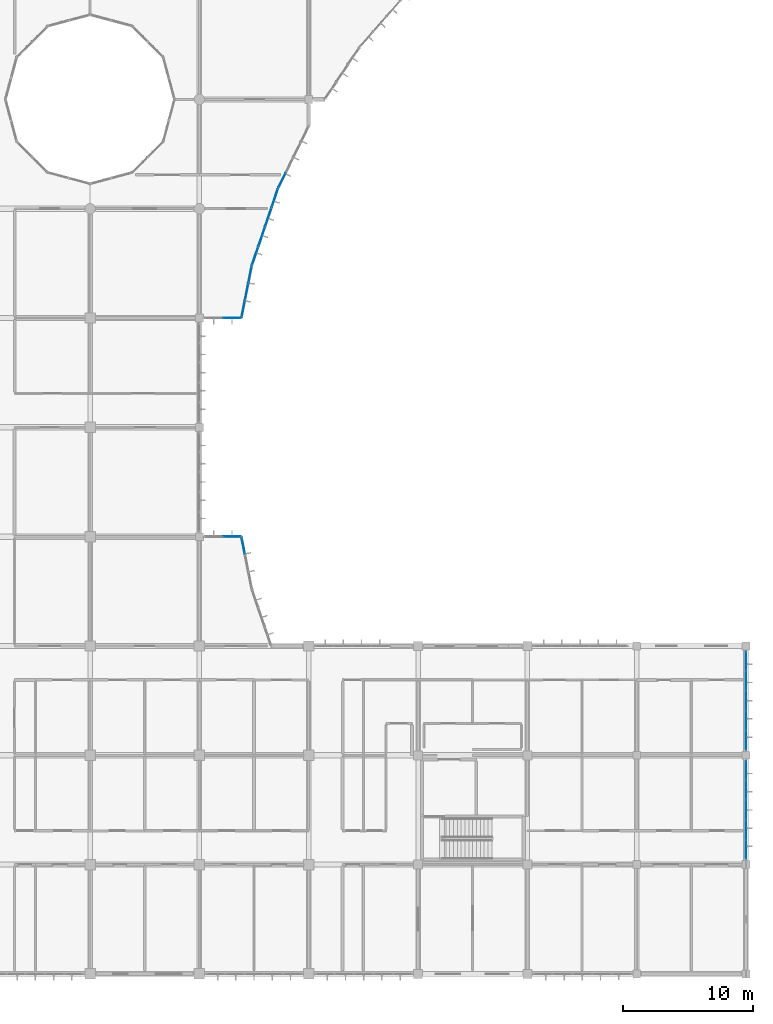
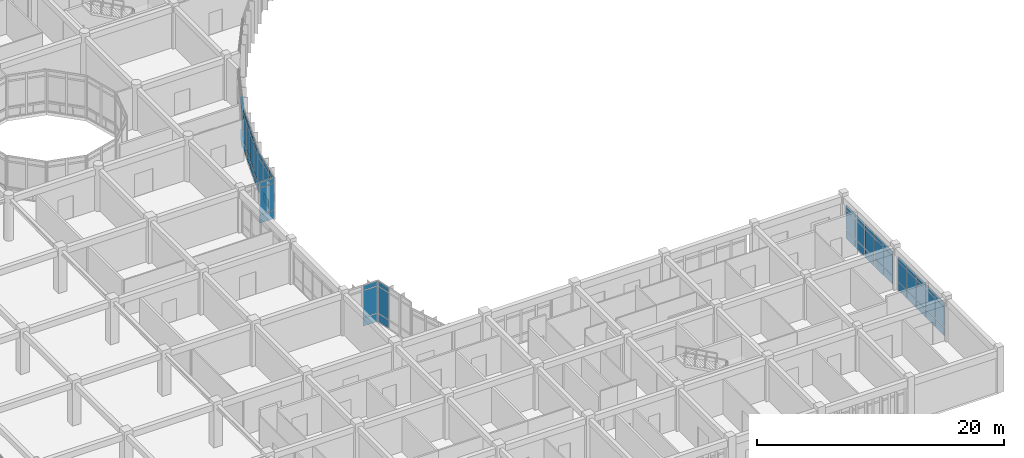
# One storey, part 85 of 144: 63 plates, 8 elements without a shape of their own.
"""IFC4 building model written with IfcOpenShell, lengths in metres."""

from ifc_helpers import new_model, si_unit, direction, frame, origin, origin_2d, place, context, subcontext, project, spatial, rectangle, extrude, material, layer, layer_set, type_object, element, aggregate, save


model = new_model("IFC4")

# Units and contexts
model_context = context("Model", 3, precision=1e-05, world=origin(), true_north=direction((0.0, 1.0)))
body_context = subcontext(model_context, "Body", "Model", "MODEL_VIEW")
ifc_project = project(units=[si_unit("LENGTHUNIT", "METRE"), si_unit("AREAUNIT", "SQUARE_METRE"), si_unit("VOLUMEUNIT", "CUBIC_METRE"), si_unit("PLANEANGLEUNIT", "RADIAN"), si_unit("MASSUNIT", "GRAM", prefix="KILO")], contexts=[model_context])

# Site, building, storey
site_placement = place(None, origin())
site = spatial("IfcSite", under=ifc_project, at=site_placement, CompositionType="ELEMENT")
building_placement = place(site_placement, origin())
building = spatial("IfcBuilding", under=site, at=building_placement, Name="Bramfleet General Hospital", CompositionType="ELEMENT")
storey_placement = place(building_placement, frame((0.0, 0.0, 4.800048828125)))
storey = spatial("IfcBuildingStorey", under=building, at=storey_placement, Name="L01", CompositionType="ELEMENT", Elevation=4.800048828125)

# Curtain wall, plates
ifc_material_1 = material(Name="Anodised aluminium and low-E triple glazing", Category="aluminium")
ifc_layer_1 = layer(ifc_material_1, 0.179931640625, Name="CWT-CW-07")
ifc_layer_set_1 = layer_set([ifc_layer_1], Name="Anodised aluminium and low-E triple glazing")
curtain_wall_type_1 = type_object("IfcCurtainWallType", Name="CWT-CW-07", PredefinedType="USERDEFINED", material=ifc_layer_set_1)
curtain_wall_1_placement = place(storey_placement, origin())
curtain_wall_1 = element("IfcCurtainWall", 1, at=curtain_wall_1_placement, inside=storey, type_object=curtain_wall_type_1, Name="L01 Curtain Wall 61", ObjectType="Unitised curtain wall", PredefinedType="USERDEFINED")
ifc_material_2 = material(Name="Low-E laminated safety glass", Category="glass")
ifc_layer_2 = layer(ifc_material_2, 0.028076171875, Name="CWP-GLZ-1")
ifc_layer_set_2 = layer_set([ifc_layer_2], Name="Low-E laminated safety glass")
plate_type_1 = type_object("IfcPlateType", Name="CWP-GLZ-1", PredefinedType="CURTAIN_PANEL", material=ifc_layer_set_2)
plate_1_placement = place(storey_placement, frame((129.899169921875, 53.7353515625, 0.06494140625), z_axis=(0.0, 0.0, 1.0), x_axis=(-0.195272189606, -0.980749087161, 0.0)))
plate_1 = element("IfcPlate", 2, at=plate_1_placement, type_object=plate_type_1, Name="CW-07 panel 1.1", PredefinedType="CURTAIN_PANEL", context=body_context, shape_type="SweptSolid", body=[
    extrude(rectangle(XDim=1.26220703125, YDim=0.028076171875, at=origin_2d()), origin(), (0.0, 0.0, 1.0), 0.802490234375),
])
plate_2_placement = place(storey_placement, frame((129.899169921875, 53.7353515625, 0.932373046875), z_axis=(0.0, 0.0, 1.0), x_axis=(-0.195272189606, -0.980749087161, 0.0)))
plate_2 = element("IfcPlate", 3, at=plate_2_placement, type_object=plate_type_1, Name="CW-07 panel 1.2", PredefinedType="CURTAIN_PANEL", context=body_context, shape_type="SweptSolid", body=[
    extrude(rectangle(XDim=1.26220703125, YDim=0.028076171875, at=origin_2d()), origin(), (0.0, 0.0, 1.0), 2.625),
])
plate_3_placement = place(storey_placement, frame((129.899169921875, 53.7353515625, 3.62255859375), z_axis=(0.0, 0.0, 1.0), x_axis=(-0.195272189606, -0.980749087161, 0.0)))
plate_3 = element("IfcPlate", 4, at=plate_3_placement, type_object=plate_type_1, Name="CW-07 panel 1.3", PredefinedType="CURTAIN_PANEL", context=body_context, shape_type="SweptSolid", body=[
    extrude(rectangle(XDim=1.26220703125, YDim=0.028076171875, at=origin_2d()), origin(), (0.0, 0.0, 1.0), 0.452392578125),
])
plate_4_placement = place(storey_placement, frame((129.635498046875, 52.41162109375, 0.06494140625), z_axis=(0.0, 0.0, 1.0), x_axis=(-0.195272189606, -0.980749087161, 0.0)))
plate_4 = element("IfcPlate", 5, at=plate_4_placement, type_object=plate_type_1, Name="CW-07 panel 2.1", PredefinedType="CURTAIN_PANEL", context=body_context, shape_type="SweptSolid", body=[
    extrude(rectangle(XDim=1.29736328125, YDim=0.028076171875, at=origin_2d()), origin(), (0.0, 0.0, 1.0), 0.802490234375),
])
plate_5_placement = place(storey_placement, frame((129.635498046875, 52.41162109375, 0.932373046875), z_axis=(0.0, 0.0, 1.0), x_axis=(-0.195272189606, -0.980749087161, 0.0)))
plate_5 = element("IfcPlate", 6, at=plate_5_placement, type_object=plate_type_1, Name="CW-07 panel 2.2", PredefinedType="CURTAIN_PANEL", context=body_context, shape_type="SweptSolid", body=[
    extrude(rectangle(XDim=1.29736328125, YDim=0.028076171875, at=origin_2d()), origin(), (0.0, 0.0, 1.0), 2.625),
])
plate_6_placement = place(storey_placement, frame((129.635498046875, 52.41162109375, 3.62255859375), z_axis=(0.0, 0.0, 1.0), x_axis=(-0.195272189606, -0.980749087161, 0.0)))
plate_6 = element("IfcPlate", 7, at=plate_6_placement, type_object=plate_type_1, Name="CW-07 panel 2.3", PredefinedType="CURTAIN_PANEL", context=body_context, shape_type="SweptSolid", body=[
    extrude(rectangle(XDim=1.29736328125, YDim=0.028076171875, at=origin_2d()), origin(), (0.0, 0.0, 1.0), 0.452392578125),
])
plate_7_placement = place(storey_placement, frame((129.371826171875, 51.087646484375, 0.06494140625), z_axis=(0.0, 0.0, 1.0), x_axis=(-0.195272189606, -0.980749087161, 0.0)))
plate_7 = element("IfcPlate", 8, at=plate_7_placement, type_object=plate_type_1, Name="CW-07 panel 3.1", PredefinedType="CURTAIN_PANEL", context=body_context, shape_type="SweptSolid", body=[
    extrude(rectangle(XDim=1.26220703125, YDim=0.028076171875, at=origin_2d()), origin(), (0.0, 0.0, 1.0), 0.802490234375),
])
plate_8_placement = place(storey_placement, frame((129.371826171875, 51.087646484375, 0.932373046875), z_axis=(0.0, 0.0, 1.0), x_axis=(-0.195272189606, -0.980749087161, 0.0)))
plate_8 = element("IfcPlate", 9, at=plate_8_placement, type_object=plate_type_1, Name="CW-07 panel 3.2", PredefinedType="CURTAIN_PANEL", context=body_context, shape_type="SweptSolid", body=[
    extrude(rectangle(XDim=1.26220703125, YDim=0.028076171875, at=origin_2d()), origin(), (0.0, 0.0, 1.0), 2.625),
])
plate_9_placement = place(storey_placement, frame((129.371826171875, 51.087646484375, 3.62255859375), z_axis=(0.0, 0.0, 1.0), x_axis=(-0.195272189606, -0.980749087161, 0.0)))
plate_9 = element("IfcPlate", 10, at=plate_9_placement, type_object=plate_type_1, Name="CW-07 panel 3.3", PredefinedType="CURTAIN_PANEL", context=body_context, shape_type="SweptSolid", body=[
    extrude(rectangle(XDim=1.26220703125, YDim=0.028076171875, at=origin_2d()), origin(), (0.0, 0.0, 1.0), 0.452392578125),
])
aggregate(curtain_wall_1, [plate_1, plate_2, plate_3, plate_4, plate_5, plate_6, plate_7, plate_8, plate_9])

ifc_layer_3 = layer(ifc_material_1, 0.179931640625, Name="CWT-CW-11")
ifc_layer_set_3 = layer_set([ifc_layer_3], Name="Anodised aluminium and low-E triple glazing")
curtain_wall_type_2 = type_object("IfcCurtainWallType", Name="CWT-CW-11", PredefinedType="USERDEFINED", material=ifc_layer_set_3)
curtain_wall_2_placement = place(storey_placement, origin())
curtain_wall_2 = element("IfcCurtainWall", 11, at=curtain_wall_2_placement, inside=storey, type_object=curtain_wall_type_2, Name="L01 Curtain Wall 65", ObjectType="Stick curtain wall", PredefinedType="USERDEFINED")
plate_10_placement = place(storey_placement, frame((128.50244140625, 33.60009765625, 0.06494140625), z_axis=(0.0, 0.0, 1.0), x_axis=(1.0, 0.0, 0.0)))
plate_10 = element("IfcPlate", 12, at=plate_10_placement, type_object=plate_type_1, Name="CW-11 panel 2.1", PredefinedType="CURTAIN_PANEL", context=body_context, shape_type="SweptSolid", body=[
    extrude(rectangle(XDim=1.324951171875, YDim=0.028076171875, at=origin_2d()), origin(), (0.0, 0.0, 1.0), 0.802490234375),
])
plate_11_placement = place(storey_placement, frame((128.50244140625, 33.60009765625, 0.932373046875), z_axis=(0.0, 0.0, 1.0), x_axis=(1.0, 0.0, 0.0)))
plate_11 = element("IfcPlate", 13, at=plate_11_placement, type_object=plate_type_1, Name="CW-11 panel 2.2", PredefinedType="CURTAIN_PANEL", context=body_context, shape_type="SweptSolid", body=[
    extrude(rectangle(XDim=1.324951171875, YDim=0.028076171875, at=origin_2d()), origin(), (0.0, 0.0, 1.0), 2.625),
])
plate_12_placement = place(storey_placement, frame((128.50244140625, 33.60009765625, 3.62255859375), z_axis=(0.0, 0.0, 1.0), x_axis=(1.0, 0.0, 0.0)))
plate_12 = element("IfcPlate", 14, at=plate_12_placement, type_object=plate_type_1, Name="CW-11 panel 2.3", PredefinedType="CURTAIN_PANEL", context=body_context, shape_type="SweptSolid", body=[
    extrude(rectangle(XDim=1.324951171875, YDim=0.028076171875, at=origin_2d()), origin(), (0.0, 0.0, 1.0), 0.452392578125),
])
aggregate(curtain_wall_2, [plate_10, plate_11, plate_12])

ifc_layer_4 = layer(ifc_material_1, 0.179931640625, Name="CWT-CW-08")
ifc_layer_set_4 = layer_set([ifc_layer_4], Name="Anodised aluminium and low-E triple glazing")
curtain_wall_type_3 = type_object("IfcCurtainWallType", Name="CWT-CW-08", PredefinedType="USERDEFINED", material=ifc_layer_set_4)
curtain_wall_3_placement = place(storey_placement, origin())
curtain_wall_3 = element("IfcCurtainWall", 15, at=curtain_wall_3_placement, inside=storey, type_object=curtain_wall_type_3, Name="L01 Curtain Wall 62", ObjectType="Unitised curtain wall", PredefinedType="USERDEFINED")
ifc_layer_5 = layer(ifc_material_2, 0.031982421875, Name="CWP-GLZ-2")
ifc_layer_set_5 = layer_set([ifc_layer_5], Name="Low-E laminated safety glass")
plate_type_2 = type_object("IfcPlateType", Name="CWP-GLZ-2", PredefinedType="CURTAIN_PANEL", material=ifc_layer_set_5)
plate_13_placement = place(storey_placement, frame((128.50244140625, 50.39990234375, 0.06494140625), z_axis=(0.0, 0.0, 1.0), x_axis=(-1.0, 0.0, 0.0)))
plate_13 = element("IfcPlate", 16, at=plate_13_placement, type_object=plate_type_2, Name="CW-08 panel 1.1", PredefinedType="CURTAIN_PANEL", context=body_context, shape_type="SweptSolid", body=[
    extrude(rectangle(XDim=1.324951171875, YDim=0.031982421875, at=origin_2d()), origin(), (0.0, 0.0, 1.0), 0.802490234375),
])
plate_14_placement = place(storey_placement, frame((128.50244140625, 50.39990234375, 0.932373046875), z_axis=(0.0, 0.0, 1.0), x_axis=(-1.0, 0.0, 0.0)))
plate_14 = element("IfcPlate", 17, at=plate_14_placement, type_object=plate_type_2, Name="CW-08 panel 1.2", PredefinedType="CURTAIN_PANEL", context=body_context, shape_type="SweptSolid", body=[
    extrude(rectangle(XDim=1.324951171875, YDim=0.031982421875, at=origin_2d()), origin(), (0.0, 0.0, 1.0), 2.625),
])
plate_15_placement = place(storey_placement, frame((128.50244140625, 50.39990234375, 3.62255859375), z_axis=(0.0, 0.0, 1.0), x_axis=(-1.0, 0.0, 0.0)))
plate_15 = element("IfcPlate", 18, at=plate_15_placement, type_object=plate_type_2, Name="CW-08 panel 1.3", PredefinedType="CURTAIN_PANEL", context=body_context, shape_type="SweptSolid", body=[
    extrude(rectangle(XDim=1.324951171875, YDim=0.031982421875, at=origin_2d()), origin(), (0.0, 0.0, 1.0), 0.452392578125),
])
aggregate(curtain_wall_3, [plate_13, plate_14, plate_15])

ifc_layer_6 = layer(ifc_material_1, 0.179931640625, Name="CWT-CW-12")
ifc_layer_set_6 = layer_set([ifc_layer_6], Name="Anodised aluminium and low-E triple glazing")
curtain_wall_type_4 = type_object("IfcCurtainWallType", Name="CWT-CW-12", PredefinedType="USERDEFINED", material=ifc_layer_set_6)
curtain_wall_4_placement = place(storey_placement, origin())
curtain_wall_4 = element("IfcCurtainWall", 19, at=curtain_wall_4_placement, inside=storey, type_object=curtain_wall_type_4, Name="L01 Curtain Wall 66", ObjectType="Stick curtain wall", PredefinedType="USERDEFINED")
plate_16_placement = place(storey_placement, frame((129.371826171875, 32.912353515625, 0.06494140625), z_axis=(0.0, 0.0, 1.0), x_axis=(0.195272189606, -0.980749087161, 0.0)))
plate_16 = element("IfcPlate", 20, at=plate_16_placement, type_object=plate_type_2, Name="CW-12 panel 1.1", PredefinedType="CURTAIN_PANEL", context=body_context, shape_type="SweptSolid", body=[
    extrude(rectangle(XDim=1.26220703125, YDim=0.031982421875, at=origin_2d()), origin(), (0.0, 0.0, 1.0), 0.802490234375),
])
plate_17_placement = place(storey_placement, frame((129.371826171875, 32.912353515625, 0.932373046875), z_axis=(0.0, 0.0, 1.0), x_axis=(0.195272189606, -0.980749087161, 0.0)))
plate_17 = element("IfcPlate", 21, at=plate_17_placement, type_object=plate_type_2, Name="CW-12 panel 1.2", PredefinedType="CURTAIN_PANEL", context=body_context, shape_type="SweptSolid", body=[
    extrude(rectangle(XDim=1.26220703125, YDim=0.031982421875, at=origin_2d()), origin(), (0.0, 0.0, 1.0), 2.625),
])
plate_18_placement = place(storey_placement, frame((129.371826171875, 32.912353515625, 3.62255859375), z_axis=(0.0, 0.0, 1.0), x_axis=(0.195272189606, -0.980749087161, 0.0)))
plate_18 = element("IfcPlate", 22, at=plate_18_placement, type_object=plate_type_2, Name="CW-12 panel 1.3", PredefinedType="CURTAIN_PANEL", context=body_context, shape_type="SweptSolid", body=[
    extrude(rectangle(XDim=1.26220703125, YDim=0.031982421875, at=origin_2d()), origin(), (0.0, 0.0, 1.0), 0.452392578125),
])
aggregate(curtain_wall_4, [plate_16, plate_17, plate_18])

ifc_layer_7 = layer(ifc_material_1, 0.179931640625, Name="CWT-CW-16")
ifc_layer_set_7 = layer_set([ifc_layer_7], Name="Anodised aluminium and low-E triple glazing")
curtain_wall_type_5 = type_object("IfcCurtainWallType", Name="CWT-CW-16", PredefinedType="USERDEFINED", material=ifc_layer_set_7)
curtain_wall_5_placement = place(storey_placement, origin())
curtain_wall_5 = element("IfcCurtainWall", 23, at=curtain_wall_5_placement, inside=storey, type_object=curtain_wall_type_5, Name="L01 Curtain Wall 70", ObjectType="Stick curtain wall", PredefinedType="USERDEFINED")
plate_19_placement = place(storey_placement, frame((168.0, 24.04248046875, 0.06494140625), z_axis=(0.0, 0.0, 1.0), x_axis=(0.0, -1.0, 0.0)))
plate_19 = element("IfcPlate", 24, at=plate_19_placement, type_object=plate_type_2, Name="CW-16 panel 1.1", PredefinedType="CURTAIN_PANEL", context=body_context, shape_type="SweptSolid", body=[
    extrude(rectangle(XDim=1.425048828125, YDim=0.031982421875, at=origin_2d()), origin(), (0.0, 0.0, 1.0), 0.802490234375),
])
plate_20_placement = place(storey_placement, frame((168.0, 24.04248046875, 0.9326171875), z_axis=(0.0, 0.0, 1.0), x_axis=(0.0, -1.0, 0.0)))
plate_20 = element("IfcPlate", 25, at=plate_20_placement, type_object=plate_type_2, Name="CW-16 panel 1.2", PredefinedType="CURTAIN_PANEL", context=body_context, shape_type="SweptSolid", body=[
    extrude(rectangle(XDim=1.425048828125, YDim=0.031982421875, at=origin_2d()), origin(), (0.0, 0.0, 1.0), 1.925048828125),
])
plate_21_placement = place(storey_placement, frame((168.0, 24.04248046875, 2.92236328125), z_axis=(0.0, 0.0, 1.0), x_axis=(0.0, -1.0, 0.0)))
plate_21 = element("IfcPlate", 26, at=plate_21_placement, type_object=plate_type_2, Name="CW-16 panel 1.3", PredefinedType="CURTAIN_PANEL", context=body_context, shape_type="SweptSolid", body=[
    extrude(rectangle(XDim=1.425048828125, YDim=0.031982421875, at=origin_2d()), origin(), (0.0, 0.0, 1.0), 0.452392578125),
])
plate_22_placement = place(storey_placement, frame((168.0, 22.530029296875, 0.06494140625), z_axis=(0.0, 0.0, 1.0), x_axis=(0.0, -1.0, 0.0)))
plate_22 = element("IfcPlate", 27, at=plate_22_placement, type_object=plate_type_2, Name="CW-16 panel 2.1", PredefinedType="CURTAIN_PANEL", context=body_context, shape_type="SweptSolid", body=[
    extrude(rectangle(XDim=1.4599609375, YDim=0.031982421875, at=origin_2d()), origin(), (0.0, 0.0, 1.0), 0.802490234375),
])
plate_23_placement = place(storey_placement, frame((168.0, 22.530029296875, 0.9326171875), z_axis=(0.0, 0.0, 1.0), x_axis=(0.0, -1.0, 0.0)))
plate_23 = element("IfcPlate", 28, at=plate_23_placement, type_object=plate_type_2, Name="CW-16 panel 2.2", PredefinedType="CURTAIN_PANEL", context=body_context, shape_type="SweptSolid", body=[
    extrude(rectangle(XDim=1.4599609375, YDim=0.031982421875, at=origin_2d()), origin(), (0.0, 0.0, 1.0), 1.925048828125),
])
plate_24_placement = place(storey_placement, frame((168.0, 22.530029296875, 2.92236328125), z_axis=(0.0, 0.0, 1.0), x_axis=(0.0, -1.0, 0.0)))
plate_24 = element("IfcPlate", 29, at=plate_24_placement, type_object=plate_type_2, Name="CW-16 panel 2.3", PredefinedType="CURTAIN_PANEL", context=body_context, shape_type="SweptSolid", body=[
    extrude(rectangle(XDim=1.4599609375, YDim=0.031982421875, at=origin_2d()), origin(), (0.0, 0.0, 1.0), 0.452392578125),
])
plate_25_placement = place(storey_placement, frame((168.0, 21.0, 0.06494140625), z_axis=(0.0, 0.0, 1.0), x_axis=(0.0, -1.0, 0.0)))
plate_25 = element("IfcPlate", 30, at=plate_25_placement, type_object=plate_type_2, Name="CW-16 panel 3.1", PredefinedType="CURTAIN_PANEL", context=body_context, shape_type="SweptSolid", body=[
    extrude(rectangle(XDim=1.4599609375, YDim=0.031982421875, at=origin_2d()), origin(), (0.0, 0.0, 1.0), 0.802490234375),
])
plate_26_placement = place(storey_placement, frame((168.0, 21.0, 0.9326171875), z_axis=(0.0, 0.0, 1.0), x_axis=(0.0, -1.0, 0.0)))
plate_26 = element("IfcPlate", 31, at=plate_26_placement, type_object=plate_type_2, Name="CW-16 panel 3.2", PredefinedType="CURTAIN_PANEL", context=body_context, shape_type="SweptSolid", body=[
    extrude(rectangle(XDim=1.4599609375, YDim=0.031982421875, at=origin_2d()), origin(), (0.0, 0.0, 1.0), 1.925048828125),
])
plate_27_placement = place(storey_placement, frame((168.0, 21.0, 2.92236328125), z_axis=(0.0, 0.0, 1.0), x_axis=(0.0, -1.0, 0.0)))
plate_27 = element("IfcPlate", 32, at=plate_27_placement, type_object=plate_type_2, Name="CW-16 panel 3.3", PredefinedType="CURTAIN_PANEL", context=body_context, shape_type="SweptSolid", body=[
    extrude(rectangle(XDim=1.4599609375, YDim=0.031982421875, at=origin_2d()), origin(), (0.0, 0.0, 1.0), 0.452392578125),
])
plate_28_placement = place(storey_placement, frame((168.0, 19.469970703125, 0.06494140625), z_axis=(0.0, 0.0, 1.0), x_axis=(0.0, -1.0, 0.0)))
plate_28 = element("IfcPlate", 33, at=plate_28_placement, type_object=plate_type_2, Name="CW-16 panel 4.1", PredefinedType="CURTAIN_PANEL", context=body_context, shape_type="SweptSolid", body=[
    extrude(rectangle(XDim=1.4599609375, YDim=0.031982421875, at=origin_2d()), origin(), (0.0, 0.0, 1.0), 0.802490234375),
])
plate_29_placement = place(storey_placement, frame((168.0, 19.469970703125, 0.9326171875), z_axis=(0.0, 0.0, 1.0), x_axis=(0.0, -1.0, 0.0)))
plate_29 = element("IfcPlate", 34, at=plate_29_placement, type_object=plate_type_2, Name="CW-16 panel 4.2", PredefinedType="CURTAIN_PANEL", context=body_context, shape_type="SweptSolid", body=[
    extrude(rectangle(XDim=1.4599609375, YDim=0.031982421875, at=origin_2d()), origin(), (0.0, 0.0, 1.0), 1.925048828125),
])
plate_30_placement = place(storey_placement, frame((168.0, 19.469970703125, 2.92236328125), z_axis=(0.0, 0.0, 1.0), x_axis=(0.0, -1.0, 0.0)))
plate_30 = element("IfcPlate", 35, at=plate_30_placement, type_object=plate_type_2, Name="CW-16 panel 4.3", PredefinedType="CURTAIN_PANEL", context=body_context, shape_type="SweptSolid", body=[
    extrude(rectangle(XDim=1.4599609375, YDim=0.031982421875, at=origin_2d()), origin(), (0.0, 0.0, 1.0), 0.452392578125),
])
plate_31_placement = place(storey_placement, frame((168.0, 17.95751953125, 0.06494140625), z_axis=(0.0, 0.0, 1.0), x_axis=(0.0, -1.0, 0.0)))
plate_31 = element("IfcPlate", 36, at=plate_31_placement, type_object=plate_type_2, Name="CW-16 panel 5.1", PredefinedType="CURTAIN_PANEL", context=body_context, shape_type="SweptSolid", body=[
    extrude(rectangle(XDim=1.425048828125, YDim=0.031982421875, at=origin_2d()), origin(), (0.0, 0.0, 1.0), 0.802490234375),
])
plate_32_placement = place(storey_placement, frame((168.0, 17.95751953125, 0.9326171875), z_axis=(0.0, 0.0, 1.0), x_axis=(0.0, -1.0, 0.0)))
plate_32 = element("IfcPlate", 37, at=plate_32_placement, type_object=plate_type_2, Name="CW-16 panel 5.2", PredefinedType="CURTAIN_PANEL", context=body_context, shape_type="SweptSolid", body=[
    extrude(rectangle(XDim=1.425048828125, YDim=0.031982421875, at=origin_2d()), origin(), (0.0, 0.0, 1.0), 1.925048828125),
])
plate_33_placement = place(storey_placement, frame((168.0, 17.95751953125, 2.92236328125), z_axis=(0.0, 0.0, 1.0), x_axis=(0.0, -1.0, 0.0)))
plate_33 = element("IfcPlate", 38, at=plate_33_placement, type_object=plate_type_2, Name="CW-16 panel 5.3", PredefinedType="CURTAIN_PANEL", context=body_context, shape_type="SweptSolid", body=[
    extrude(rectangle(XDim=1.425048828125, YDim=0.031982421875, at=origin_2d()), origin(), (0.0, 0.0, 1.0), 0.452392578125),
])
aggregate(curtain_wall_5, [plate_19, plate_20, plate_21, plate_22, plate_23, plate_24, plate_25, plate_26, plate_27, plate_28, plate_29, plate_30, plate_31, plate_32, plate_33])

ifc_layer_8 = layer(ifc_material_1, 0.179931640625, Name="CWT-CW-05")
ifc_layer_set_8 = layer_set([ifc_layer_8], Name="Anodised aluminium and low-E triple glazing")
curtain_wall_type_6 = type_object("IfcCurtainWallType", Name="CWT-CW-05", PredefinedType="USERDEFINED", material=ifc_layer_set_8)
curtain_wall_6_placement = place(storey_placement, origin())
curtain_wall_6 = element("IfcCurtainWall", 39, at=curtain_wall_6_placement, inside=storey, type_object=curtain_wall_type_6, Name="L01 Curtain Wall 59", ObjectType="Unitised curtain wall", PredefinedType="USERDEFINED")
ifc_layer_9 = layer(ifc_material_2, 0.035888671875, Name="CWP-GLZ-3")
ifc_layer_set_9 = layer_set([ifc_layer_9], Name="Low-E laminated safety glass")
plate_type_3 = type_object("IfcPlateType", Name="CWP-GLZ-3", PredefinedType="CURTAIN_PANEL", material=ifc_layer_set_9)
plate_34_placement = place(storey_placement, frame((132.35498046875, 60.979248046875, 0.06494140625), z_axis=(0.0, 0.0, 1.0), x_axis=(-0.442304948782, -0.896864723513, 0.0)))
plate_34 = element("IfcPlate", 40, at=plate_34_placement, type_object=plate_type_3, Name="CW-05 panel 4.1", PredefinedType="CURTAIN_PANEL", context=body_context, shape_type="SweptSolid", body=[
    extrude(rectangle(XDim=1.220947265625, YDim=0.035888671875, at=origin_2d()), origin(), (0.0, 0.0, 1.0), 0.802490234375),
])
plate_35_placement = place(storey_placement, frame((132.35498046875, 60.979248046875, 0.932373046875), z_axis=(0.0, 0.0, 1.0), x_axis=(-0.442304948782, -0.896864723513, 0.0)))
plate_35 = element("IfcPlate", 41, at=plate_35_placement, type_object=plate_type_3, Name="CW-05 panel 4.2", PredefinedType="CURTAIN_PANEL", context=body_context, shape_type="SweptSolid", body=[
    extrude(rectangle(XDim=1.220947265625, YDim=0.035888671875, at=origin_2d()), origin(), (0.0, 0.0, 1.0), 2.625),
])
plate_36_placement = place(storey_placement, frame((132.35498046875, 60.979248046875, 3.62255859375), z_axis=(0.0, 0.0, 1.0), x_axis=(-0.442304948782, -0.896864723513, 0.0)))
plate_36 = element("IfcPlate", 42, at=plate_36_placement, type_object=plate_type_3, Name="CW-05 panel 4.3", PredefinedType="CURTAIN_PANEL", context=body_context, shape_type="SweptSolid", body=[
    extrude(rectangle(XDim=1.220947265625, YDim=0.035888671875, at=origin_2d()), origin(), (0.0, 0.0, 1.0), 0.452392578125),
])
aggregate(curtain_wall_6, [plate_34, plate_35, plate_36])

ifc_layer_10 = layer(ifc_material_1, 0.179931640625, Name="CWT-CW-17")
ifc_layer_set_10 = layer_set([ifc_layer_10], Name="Anodised aluminium and low-E triple glazing")
curtain_wall_type_7 = type_object("IfcCurtainWallType", Name="CWT-CW-17", PredefinedType="USERDEFINED", material=ifc_layer_set_10)
curtain_wall_7_placement = place(storey_placement, origin())
curtain_wall_7 = element("IfcCurtainWall", 43, at=curtain_wall_7_placement, inside=storey, type_object=curtain_wall_type_7, Name="L01 Curtain Wall 71", ObjectType="Stick curtain wall", PredefinedType="USERDEFINED")
plate_37_placement = place(storey_placement, frame((168.0, 15.642578125, 0.06494140625), z_axis=(0.0, 0.0, 1.0), x_axis=(0.0, -1.0, 0.0)))
plate_37 = element("IfcPlate", 44, at=plate_37_placement, type_object=plate_type_3, Name="CW-17 panel 1.1", PredefinedType="CURTAIN_PANEL", context=body_context, shape_type="SweptSolid", body=[
    extrude(rectangle(XDim=1.425048828125, YDim=0.035888671875, at=origin_2d()), origin(), (0.0, 0.0, 1.0), 0.802490234375),
])
plate_38_placement = place(storey_placement, frame((168.0, 15.642578125, 0.9326171875), z_axis=(0.0, 0.0, 1.0), x_axis=(0.0, -1.0, 0.0)))
plate_38 = element("IfcPlate", 45, at=plate_38_placement, type_object=plate_type_3, Name="CW-17 panel 1.2", PredefinedType="CURTAIN_PANEL", context=body_context, shape_type="SweptSolid", body=[
    extrude(rectangle(XDim=1.425048828125, YDim=0.035888671875, at=origin_2d()), origin(), (0.0, 0.0, 1.0), 1.925048828125),
])
plate_39_placement = place(storey_placement, frame((168.0, 15.642578125, 2.92236328125), z_axis=(0.0, 0.0, 1.0), x_axis=(0.0, -1.0, 0.0)))
plate_39 = element("IfcPlate", 46, at=plate_39_placement, type_object=plate_type_3, Name="CW-17 panel 1.3", PredefinedType="CURTAIN_PANEL", context=body_context, shape_type="SweptSolid", body=[
    extrude(rectangle(XDim=1.425048828125, YDim=0.035888671875, at=origin_2d()), origin(), (0.0, 0.0, 1.0), 0.452392578125),
])
plate_40_placement = place(storey_placement, frame((168.0, 14.1298828125, 0.06494140625), z_axis=(0.0, 0.0, 1.0), x_axis=(0.0, -1.0, 0.0)))
plate_40 = element("IfcPlate", 47, at=plate_40_placement, type_object=plate_type_3, Name="CW-17 panel 2.1", PredefinedType="CURTAIN_PANEL", context=body_context, shape_type="SweptSolid", body=[
    extrude(rectangle(XDim=1.4599609375, YDim=0.035888671875, at=origin_2d()), origin(), (0.0, 0.0, 1.0), 0.802490234375),
])
plate_41_placement = place(storey_placement, frame((168.0, 14.1298828125, 0.9326171875), z_axis=(0.0, 0.0, 1.0), x_axis=(0.0, -1.0, 0.0)))
plate_41 = element("IfcPlate", 48, at=plate_41_placement, type_object=plate_type_3, Name="CW-17 panel 2.2", PredefinedType="CURTAIN_PANEL", context=body_context, shape_type="SweptSolid", body=[
    extrude(rectangle(XDim=1.4599609375, YDim=0.035888671875, at=origin_2d()), origin(), (0.0, 0.0, 1.0), 1.925048828125),
])
plate_42_placement = place(storey_placement, frame((168.0, 14.1298828125, 2.92236328125), z_axis=(0.0, 0.0, 1.0), x_axis=(0.0, -1.0, 0.0)))
plate_42 = element("IfcPlate", 49, at=plate_42_placement, type_object=plate_type_3, Name="CW-17 panel 2.3", PredefinedType="CURTAIN_PANEL", context=body_context, shape_type="SweptSolid", body=[
    extrude(rectangle(XDim=1.4599609375, YDim=0.035888671875, at=origin_2d()), origin(), (0.0, 0.0, 1.0), 0.452392578125),
])
plate_43_placement = place(storey_placement, frame((168.0, 12.60009765625, 0.06494140625), z_axis=(0.0, 0.0, 1.0), x_axis=(0.0, -1.0, 0.0)))
plate_43 = element("IfcPlate", 50, at=plate_43_placement, type_object=plate_type_3, Name="CW-17 panel 3.1", PredefinedType="CURTAIN_PANEL", context=body_context, shape_type="SweptSolid", body=[
    extrude(rectangle(XDim=1.4599609375, YDim=0.035888671875, at=origin_2d()), origin(), (0.0, 0.0, 1.0), 0.802490234375),
])
plate_44_placement = place(storey_placement, frame((168.0, 12.60009765625, 0.9326171875), z_axis=(0.0, 0.0, 1.0), x_axis=(0.0, -1.0, 0.0)))
plate_44 = element("IfcPlate", 51, at=plate_44_placement, type_object=plate_type_3, Name="CW-17 panel 3.2", PredefinedType="CURTAIN_PANEL", context=body_context, shape_type="SweptSolid", body=[
    extrude(rectangle(XDim=1.4599609375, YDim=0.035888671875, at=origin_2d()), origin(), (0.0, 0.0, 1.0), 1.925048828125),
])
plate_45_placement = place(storey_placement, frame((168.0, 12.60009765625, 2.92236328125), z_axis=(0.0, 0.0, 1.0), x_axis=(0.0, -1.0, 0.0)))
plate_45 = element("IfcPlate", 52, at=plate_45_placement, type_object=plate_type_3, Name="CW-17 panel 3.3", PredefinedType="CURTAIN_PANEL", context=body_context, shape_type="SweptSolid", body=[
    extrude(rectangle(XDim=1.4599609375, YDim=0.035888671875, at=origin_2d()), origin(), (0.0, 0.0, 1.0), 0.452392578125),
])
plate_46_placement = place(storey_placement, frame((168.0, 11.070068359375, 0.06494140625), z_axis=(0.0, 0.0, 1.0), x_axis=(0.0, -1.0, 0.0)))
plate_46 = element("IfcPlate", 53, at=plate_46_placement, type_object=plate_type_3, Name="CW-17 panel 4.1", PredefinedType="CURTAIN_PANEL", context=body_context, shape_type="SweptSolid", body=[
    extrude(rectangle(XDim=1.4599609375, YDim=0.035888671875, at=origin_2d()), origin(), (0.0, 0.0, 1.0), 0.802490234375),
])
plate_47_placement = place(storey_placement, frame((168.0, 11.070068359375, 0.9326171875), z_axis=(0.0, 0.0, 1.0), x_axis=(0.0, -1.0, 0.0)))
plate_47 = element("IfcPlate", 54, at=plate_47_placement, type_object=plate_type_3, Name="CW-17 panel 4.2", PredefinedType="CURTAIN_PANEL", context=body_context, shape_type="SweptSolid", body=[
    extrude(rectangle(XDim=1.4599609375, YDim=0.035888671875, at=origin_2d()), origin(), (0.0, 0.0, 1.0), 1.925048828125),
])
plate_48_placement = place(storey_placement, frame((168.0, 11.070068359375, 2.92236328125), z_axis=(0.0, 0.0, 1.0), x_axis=(0.0, -1.0, 0.0)))
plate_48 = element("IfcPlate", 55, at=plate_48_placement, type_object=plate_type_3, Name="CW-17 panel 4.3", PredefinedType="CURTAIN_PANEL", context=body_context, shape_type="SweptSolid", body=[
    extrude(rectangle(XDim=1.4599609375, YDim=0.035888671875, at=origin_2d()), origin(), (0.0, 0.0, 1.0), 0.452392578125),
])
plate_49_placement = place(storey_placement, frame((168.0, 9.5576171875, 0.06494140625), z_axis=(0.0, 0.0, 1.0), x_axis=(0.0, -1.0, 0.0)))
plate_49 = element("IfcPlate", 56, at=plate_49_placement, type_object=plate_type_3, Name="CW-17 panel 5.1", PredefinedType="CURTAIN_PANEL", context=body_context, shape_type="SweptSolid", body=[
    extrude(rectangle(XDim=1.425048828125, YDim=0.035888671875, at=origin_2d()), origin(), (0.0, 0.0, 1.0), 0.802490234375),
])
plate_50_placement = place(storey_placement, frame((168.0, 9.5576171875, 0.9326171875), z_axis=(0.0, 0.0, 1.0), x_axis=(0.0, -1.0, 0.0)))
plate_50 = element("IfcPlate", 57, at=plate_50_placement, type_object=plate_type_3, Name="CW-17 panel 5.2", PredefinedType="CURTAIN_PANEL", context=body_context, shape_type="SweptSolid", body=[
    extrude(rectangle(XDim=1.425048828125, YDim=0.035888671875, at=origin_2d()), origin(), (0.0, 0.0, 1.0), 1.925048828125),
])
plate_51_placement = place(storey_placement, frame((168.0, 9.5576171875, 2.92236328125), z_axis=(0.0, 0.0, 1.0), x_axis=(0.0, -1.0, 0.0)))
plate_51 = element("IfcPlate", 58, at=plate_51_placement, type_object=plate_type_3, Name="CW-17 panel 5.3", PredefinedType="CURTAIN_PANEL", context=body_context, shape_type="SweptSolid", body=[
    extrude(rectangle(XDim=1.425048828125, YDim=0.035888671875, at=origin_2d()), origin(), (0.0, 0.0, 1.0), 0.452392578125),
])
aggregate(curtain_wall_7, [plate_37, plate_38, plate_39, plate_40, plate_41, plate_42, plate_43, plate_44, plate_45, plate_46, plate_47, plate_48, plate_49, plate_50, plate_51])

ifc_layer_11 = layer(ifc_material_1, 0.179931640625, Name="CWT-CW-06")
ifc_layer_set_11 = layer_set([ifc_layer_11], Name="Anodised aluminium and low-E triple glazing")
curtain_wall_type_8 = type_object("IfcCurtainWallType", Name="CWT-CW-06", PredefinedType="USERDEFINED", material=ifc_layer_set_11)
curtain_wall_8_placement = place(storey_placement, origin())
curtain_wall_8 = element("IfcCurtainWall", 59, at=curtain_wall_8_placement, inside=storey, type_object=curtain_wall_type_8, Name="L01 Curtain Wall 60", ObjectType="Unitised curtain wall", PredefinedType="USERDEFINED")
ifc_layer_12 = layer(ifc_material_2, 0.0419921875, Name="CWP-GLZ-4")
ifc_layer_set_12 = layer_set([ifc_layer_12], Name="Low-E laminated safety glass")
plate_type_4 = type_object("IfcPlateType", Name="CWP-GLZ-4", PredefinedType="CURTAIN_PANEL", material=ifc_layer_set_12)
plate_52_placement = place(storey_placement, frame((131.796142578125, 59.609130859375, 0.06494140625), z_axis=(0.0, 0.0, 1.0), x_axis=(-0.321383054181, -0.946949276617, 0.0)))
plate_52 = element("IfcPlate", 60, at=plate_52_placement, type_object=plate_type_4, Name="CW-06 panel 1.1", PredefinedType="CURTAIN_PANEL", context=body_context, shape_type="SweptSolid", body=[
    extrude(rectangle(XDim=1.46484375, YDim=0.0419921875, at=origin_2d()), origin(), (0.0, 0.0, 1.0), 0.802490234375),
])
plate_53_placement = place(storey_placement, frame((131.796142578125, 59.609130859375, 0.932373046875), z_axis=(0.0, 0.0, 1.0), x_axis=(-0.321383054181, -0.946949276617, 0.0)))
plate_53 = element("IfcPlate", 61, at=plate_53_placement, type_object=plate_type_4, Name="CW-06 panel 1.2", PredefinedType="CURTAIN_PANEL", context=body_context, shape_type="SweptSolid", body=[
    extrude(rectangle(XDim=1.46484375, YDim=0.0419921875, at=origin_2d()), origin(), (0.0, 0.0, 1.0), 2.625),
])
plate_54_placement = place(storey_placement, frame((131.796142578125, 59.609130859375, 3.62255859375), z_axis=(0.0, 0.0, 1.0), x_axis=(-0.321383054181, -0.946949276617, 0.0)))
plate_54 = element("IfcPlate", 62, at=plate_54_placement, type_object=plate_type_4, Name="CW-06 panel 1.3", PredefinedType="CURTAIN_PANEL", context=body_context, shape_type="SweptSolid", body=[
    extrude(rectangle(XDim=1.46484375, YDim=0.0419921875, at=origin_2d()), origin(), (0.0, 0.0, 1.0), 0.452392578125),
])
plate_55_placement = place(storey_placement, frame((131.29736328125, 58.13916015625, 0.06494140625), z_axis=(0.0, 0.0, 1.0), x_axis=(-0.321383054181, -0.946949276617, 0.0)))
plate_55 = element("IfcPlate", 63, at=plate_55_placement, type_object=plate_type_4, Name="CW-06 panel 2.1", PredefinedType="CURTAIN_PANEL", context=body_context, shape_type="SweptSolid", body=[
    extrude(rectangle(XDim=1.499755859375, YDim=0.0419921875, at=origin_2d()), origin(), (0.0, 0.0, 1.0), 0.802490234375),
])
plate_56_placement = place(storey_placement, frame((131.29736328125, 58.13916015625, 0.932373046875), z_axis=(0.0, 0.0, 1.0), x_axis=(-0.321383054181, -0.946949276617, 0.0)))
plate_56 = element("IfcPlate", 64, at=plate_56_placement, type_object=plate_type_4, Name="CW-06 panel 2.2", PredefinedType="CURTAIN_PANEL", context=body_context, shape_type="SweptSolid", body=[
    extrude(rectangle(XDim=1.499755859375, YDim=0.0419921875, at=origin_2d()), origin(), (0.0, 0.0, 1.0), 2.625),
])
plate_57_placement = place(storey_placement, frame((131.29736328125, 58.13916015625, 3.62255859375), z_axis=(0.0, 0.0, 1.0), x_axis=(-0.321383054181, -0.946949276617, 0.0)))
plate_57 = element("IfcPlate", 65, at=plate_57_placement, type_object=plate_type_4, Name="CW-06 panel 2.3", PredefinedType="CURTAIN_PANEL", context=body_context, shape_type="SweptSolid", body=[
    extrude(rectangle(XDim=1.499755859375, YDim=0.0419921875, at=origin_2d()), origin(), (0.0, 0.0, 1.0), 0.452392578125),
])
plate_58_placement = place(storey_placement, frame((130.792724609375, 56.65283203125, 0.06494140625), z_axis=(0.0, 0.0, 1.0), x_axis=(-0.321383054181, -0.946949276617, 0.0)))
plate_58 = element("IfcPlate", 66, at=plate_58_placement, type_object=plate_type_4, Name="CW-06 panel 3.1", PredefinedType="CURTAIN_PANEL", context=body_context, shape_type="SweptSolid", body=[
    extrude(rectangle(XDim=1.499755859375, YDim=0.0419921875, at=origin_2d()), origin(), (0.0, 0.0, 1.0), 0.802490234375),
])
plate_59_placement = place(storey_placement, frame((130.792724609375, 56.65283203125, 0.932373046875), z_axis=(0.0, 0.0, 1.0), x_axis=(-0.321383054181, -0.946949276617, 0.0)))
plate_59 = element("IfcPlate", 67, at=plate_59_placement, type_object=plate_type_4, Name="CW-06 panel 3.2", PredefinedType="CURTAIN_PANEL", context=body_context, shape_type="SweptSolid", body=[
    extrude(rectangle(XDim=1.499755859375, YDim=0.0419921875, at=origin_2d()), origin(), (0.0, 0.0, 1.0), 2.625),
])
plate_60_placement = place(storey_placement, frame((130.792724609375, 56.65283203125, 3.62255859375), z_axis=(0.0, 0.0, 1.0), x_axis=(-0.321383054181, -0.946949276617, 0.0)))
plate_60 = element("IfcPlate", 68, at=plate_60_placement, type_object=plate_type_4, Name="CW-06 panel 3.3", PredefinedType="CURTAIN_PANEL", context=body_context, shape_type="SweptSolid", body=[
    extrude(rectangle(XDim=1.499755859375, YDim=0.0419921875, at=origin_2d()), origin(), (0.0, 0.0, 1.0), 0.452392578125),
])
plate_61_placement = place(storey_placement, frame((130.2939453125, 55.182861328125, 0.06494140625), z_axis=(0.0, 0.0, 1.0), x_axis=(-0.321383054181, -0.946949276617, 0.0)))
plate_61 = element("IfcPlate", 69, at=plate_61_placement, type_object=plate_type_4, Name="CW-06 panel 4.1", PredefinedType="CURTAIN_PANEL", context=body_context, shape_type="SweptSolid", body=[
    extrude(rectangle(XDim=1.46484375, YDim=0.0419921875, at=origin_2d()), origin(), (0.0, 0.0, 1.0), 0.802490234375),
])
plate_62_placement = place(storey_placement, frame((130.2939453125, 55.182861328125, 0.932373046875), z_axis=(0.0, 0.0, 1.0), x_axis=(-0.321383054181, -0.946949276617, 0.0)))
plate_62 = element("IfcPlate", 70, at=plate_62_placement, type_object=plate_type_4, Name="CW-06 panel 4.2", PredefinedType="CURTAIN_PANEL", context=body_context, shape_type="SweptSolid", body=[
    extrude(rectangle(XDim=1.46484375, YDim=0.0419921875, at=origin_2d()), origin(), (0.0, 0.0, 1.0), 2.625),
])
plate_63_placement = place(storey_placement, frame((130.2939453125, 55.182861328125, 3.62255859375), z_axis=(0.0, 0.0, 1.0), x_axis=(-0.321383054181, -0.946949276617, 0.0)))
plate_63 = element("IfcPlate", 71, at=plate_63_placement, type_object=plate_type_4, Name="CW-06 panel 4.3", PredefinedType="CURTAIN_PANEL", context=body_context, shape_type="SweptSolid", body=[
    extrude(rectangle(XDim=1.46484375, YDim=0.0419921875, at=origin_2d()), origin(), (0.0, 0.0, 1.0), 0.452392578125),
])
aggregate(curtain_wall_8, [plate_52, plate_53, plate_54, plate_55, plate_56, plate_57, plate_58, plate_59, plate_60, plate_61, plate_62, plate_63])

save(model, "model.ifc")
